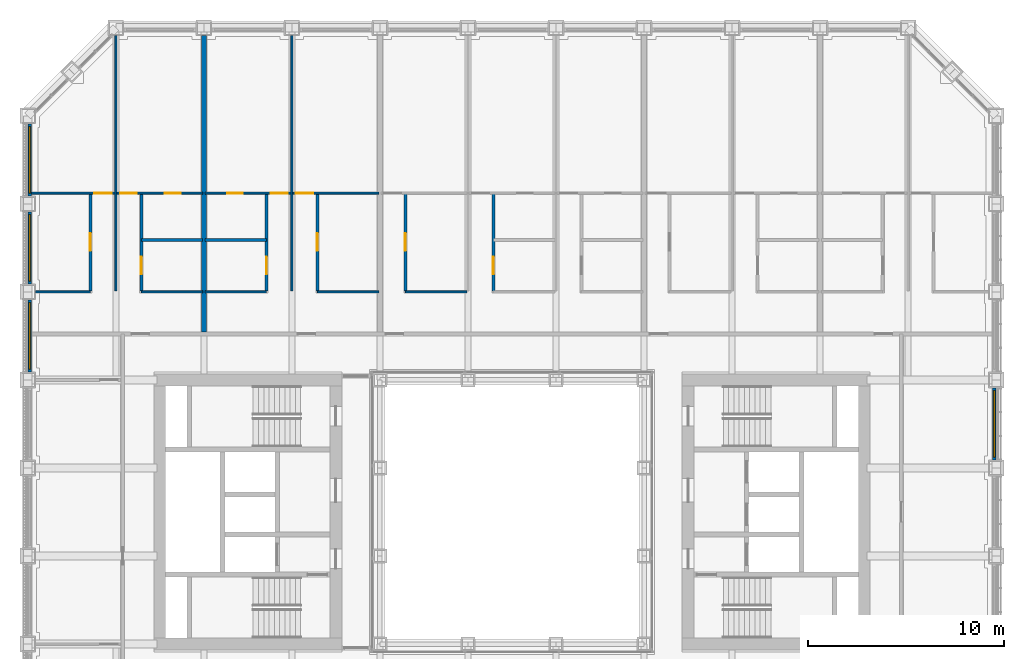
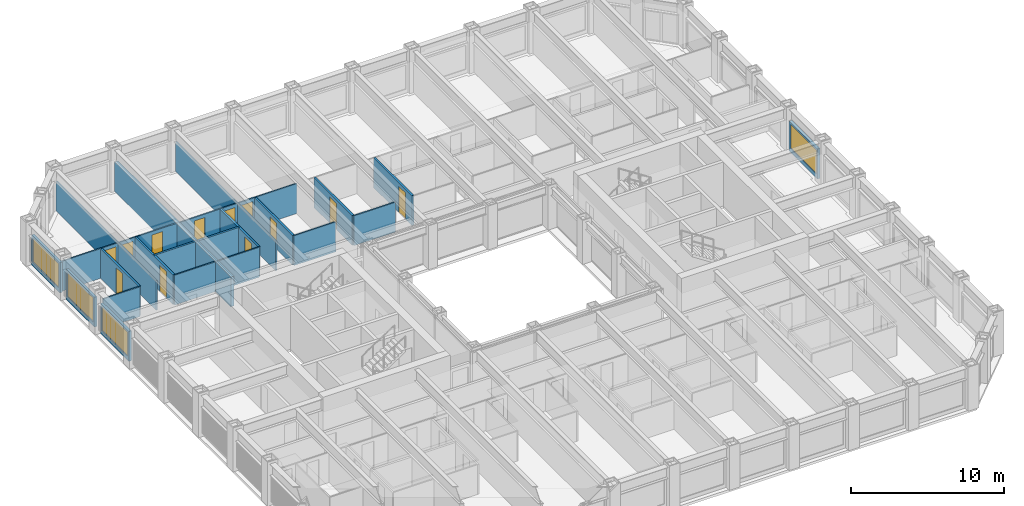
# One storey, part 13 of 21: 24 walls, 12 doors, 4 windows, 16 openings.
"""IFC4 building model written with IfcOpenShell, lengths in metres."""

from ifc_helpers import new_model, si_unit, direction, frame, frame_2d, origin, place, context, subcontext, project, spatial, rectangle, extrude, material, layer, layer_set, type_object, element, fill, save


model = new_model("IFC4")

# Units and contexts
model_context = context("Model", 3, precision=1e-05, world=origin(), true_north=direction((0.0, 1.0)))
body_context = subcontext(model_context, "Body", "Model", "MODEL_VIEW")
ifc_project = project(units=[si_unit("LENGTHUNIT", "METRE"), si_unit("AREAUNIT", "SQUARE_METRE"), si_unit("VOLUMEUNIT", "CUBIC_METRE"), si_unit("PLANEANGLEUNIT", "RADIAN"), si_unit("MASSUNIT", "GRAM", prefix="KILO")], contexts=[model_context])

# Site, building, storey
site_placement = place(None, origin())
site = spatial("IfcSite", under=ifc_project, at=site_placement, CompositionType="ELEMENT")
building_placement = place(site_placement, origin())
building = spatial("IfcBuilding", under=site, at=building_placement, Name="Msasa Ring Tower", CompositionType="ELEMENT")
storey_placement = place(building_placement, frame((0.0, 0.0, 47.5)))
storey = spatial("IfcBuildingStorey", under=building, at=storey_placement, Name="L11", CompositionType="ELEMENT", Elevation=47.5)

# Wall, opening, window
ifc_material_1 = material(Name="Terracotta rainscreen on blockwork", Category="masonry")
ifc_layer_1 = layer(ifc_material_1, 0.199951171875)
ifc_layer_set_1 = layer_set([ifc_layer_1], Name="FW1 TERRACOTTA-LINED INFILL BAY WALL 200")
wall_type_1 = type_object("IfcWallType", Name="FW1 TERRACOTTA-LINED INFILL BAY WALL 200", PredefinedType="SOLIDWALL", material=ifc_layer_set_1)
wall_1_placement = place(storey_placement, frame((24.64990234375, 2.655029296875, 0.0), z_axis=(0.0, 0.0, 1.0), x_axis=(0.0, 1.0, 0.0)))
wall_1 = element("IfcWall", 1, at=wall_1_placement, inside=storey, type_object=wall_type_1, Name="Infill bay wall E L11 16", PredefinedType="SOLIDWALL", context=body_context, shape_type="SweptSolid", body=[
    extrude(rectangle(XDim=3.68994140625, YDim=0.199951171875, at=frame_2d((1.844970703125, 0.0))), origin(), (0.0, 0.0, 1.0), 2.37890625),
])
opening_1_placement = place(wall_1_placement, frame((0.14501953125, 0.0, 0.300048828125)))
opening_1 = element("IfcOpeningElement", 2, at=opening_1_placement, cuts=wall_1, Name="Opening WN1", PredefinedType="OPENING", context=body_context, shape_type="SweptSolid", body=[
    extrude(rectangle(XDim=3.39990234375, YDim=1.928955078125, at=frame_2d((1.699951171875, 0.96435546875))), frame((0.0, 0.10986328125, 0.0), z_axis=(0.0, -1.0, 0.0), x_axis=(1.0, 0.0, 0.0)), (0.0, 0.0, 1.0), 0.219970703125),
])
ifc_material_2 = material(Name="Aluminium frame with clear glass", Category="aluminium")
window_type = type_object("IfcWindowType", Name="WN1 RESIDENCE WINDOW 3400x1929", PartitioningType="SINGLE_PANEL", PredefinedType="WINDOW", material=ifc_material_2)
window_1_placement = place(opening_1_placement, origin())
window_1 = element("IfcWindow", 3, at=window_1_placement, inside=storey, type_object=window_type, Name="Window E L11 16", OverallHeight=1.928955078125, OverallWidth=3.39990234375, PartitioningType="SINGLE_PANEL", PredefinedType="WINDOW", context=body_context, shape_type="SweptSolid", body=[
    extrude(rectangle(XDim=3.39990234375, YDim=1.928955078125, at=frame_2d((1.699951171875, 0.96435546875))), frame((0.0, 0.030029296875, 0.0), z_axis=(0.0, -1.0, 0.0), x_axis=(1.0, 0.0, 0.0)), (0.0, 0.0, 1.0), 0.06005859375),
])
fill(opening_1, window_1)

wall_2_placement = place(storey_placement, frame((-24.64990234375, 7.155029296875, 0.0), z_axis=(0.0, 0.0, 1.0), x_axis=(0.0, 1.0, 0.0)))
wall_2 = element("IfcWall", 4, at=wall_2_placement, inside=storey, type_object=wall_type_1, Name="Infill bay wall W L11 39", PredefinedType="SOLIDWALL", context=body_context, shape_type="SweptSolid", body=[
    extrude(rectangle(XDim=3.68994140625, YDim=0.199951171875, at=frame_2d((1.844970703125, 0.0))), origin(), (0.0, 0.0, 1.0), 2.37890625),
])
opening_2_placement = place(wall_2_placement, frame((0.14501953125, 0.0, 0.300048828125)))
opening_2 = element("IfcOpeningElement", 5, at=opening_2_placement, cuts=wall_2, Name="Opening WN1", PredefinedType="OPENING", context=body_context, shape_type="SweptSolid", body=[
    extrude(rectangle(XDim=3.39990234375, YDim=1.928955078125, at=frame_2d((1.699951171875, 0.96435546875))), frame((0.0, 0.10986328125, 0.0), z_axis=(0.0, -1.0, 0.0), x_axis=(1.0, 0.0, 0.0)), (0.0, 0.0, 1.0), 0.219970703125),
])
window_2_placement = place(opening_2_placement, origin())
window_2 = element("IfcWindow", 6, at=window_2_placement, inside=storey, type_object=window_type, Name="Window W L11 39", OverallHeight=1.928955078125, OverallWidth=3.39990234375, PartitioningType="SINGLE_PANEL", PredefinedType="WINDOW", context=body_context, shape_type="SweptSolid", body=[
    extrude(rectangle(XDim=3.39990234375, YDim=1.928955078125, at=frame_2d((1.699951171875, 0.96435546875))), frame((0.0, 0.030029296875, 0.0), z_axis=(0.0, -1.0, 0.0), x_axis=(1.0, 0.0, 0.0)), (0.0, 0.0, 1.0), 0.06005859375),
])
fill(opening_2, window_2)

wall_3_placement = place(storey_placement, frame((-24.64990234375, 11.655029296875, 0.0), z_axis=(0.0, 0.0, 1.0), x_axis=(0.0, 1.0, 0.0)))
wall_3 = element("IfcWall", 7, at=wall_3_placement, inside=storey, type_object=wall_type_1, Name="Infill bay wall W L11 40", PredefinedType="SOLIDWALL", context=body_context, shape_type="SweptSolid", body=[
    extrude(rectangle(XDim=3.68994140625, YDim=0.199951171875, at=frame_2d((1.844970703125, 0.0))), origin(), (0.0, 0.0, 1.0), 2.37890625),
])
opening_3_placement = place(wall_3_placement, frame((0.14501953125, 0.0, 0.300048828125)))
opening_3 = element("IfcOpeningElement", 8, at=opening_3_placement, cuts=wall_3, Name="Opening WN1", PredefinedType="OPENING", context=body_context, shape_type="SweptSolid", body=[
    extrude(rectangle(XDim=3.39990234375, YDim=1.928955078125, at=frame_2d((1.699951171875, 0.96435546875))), frame((0.0, 0.10986328125, 0.0), z_axis=(0.0, -1.0, 0.0), x_axis=(1.0, 0.0, 0.0)), (0.0, 0.0, 1.0), 0.219970703125),
])
window_3_placement = place(opening_3_placement, origin())
window_3 = element("IfcWindow", 9, at=window_3_placement, inside=storey, type_object=window_type, Name="Window W L11 40", OverallHeight=1.928955078125, OverallWidth=3.39990234375, PartitioningType="SINGLE_PANEL", PredefinedType="WINDOW", context=body_context, shape_type="SweptSolid", body=[
    extrude(rectangle(XDim=3.39990234375, YDim=1.928955078125, at=frame_2d((1.699951171875, 0.96435546875))), frame((0.0, 0.030029296875, 0.0), z_axis=(0.0, -1.0, 0.0), x_axis=(1.0, 0.0, 0.0)), (0.0, 0.0, 1.0), 0.06005859375),
])
fill(opening_3, window_3)

wall_4_placement = place(storey_placement, frame((-24.64990234375, 16.155029296875, 0.0), z_axis=(0.0, 0.0, 1.0), x_axis=(0.0, 1.0, 0.0)))
wall_4 = element("IfcWall", 10, at=wall_4_placement, inside=storey, type_object=wall_type_1, Name="Infill bay wall W L11 41", PredefinedType="SOLIDWALL", context=body_context, shape_type="SweptSolid", body=[
    extrude(rectangle(XDim=3.68994140625, YDim=0.199951171875, at=frame_2d((1.844970703125, 0.0))), origin(), (0.0, 0.0, 1.0), 2.37890625),
])
opening_4_placement = place(wall_4_placement, frame((0.14501953125, 0.0, 0.300048828125)))
opening_4 = element("IfcOpeningElement", 11, at=opening_4_placement, cuts=wall_4, Name="Opening WN1", PredefinedType="OPENING", context=body_context, shape_type="SweptSolid", body=[
    extrude(rectangle(XDim=3.39990234375, YDim=1.928955078125, at=frame_2d((1.699951171875, 0.96435546875))), frame((0.0, 0.10986328125, 0.0), z_axis=(0.0, -1.0, 0.0), x_axis=(1.0, 0.0, 0.0)), (0.0, 0.0, 1.0), 0.219970703125),
])
window_4_placement = place(opening_4_placement, origin())
window_4 = element("IfcWindow", 12, at=window_4_placement, inside=storey, type_object=window_type, Name="Window W L11 41", OverallHeight=1.928955078125, OverallWidth=3.39990234375, PartitioningType="SINGLE_PANEL", PredefinedType="WINDOW", context=body_context, shape_type="SweptSolid", body=[
    extrude(rectangle(XDim=3.39990234375, YDim=1.928955078125, at=frame_2d((1.699951171875, 0.96435546875))), frame((0.0, 0.030029296875, 0.0), z_axis=(0.0, -1.0, 0.0), x_axis=(1.0, 0.0, 0.0)), (0.0, 0.0, 1.0), 0.06005859375),
])
fill(opening_4, window_4)

# Wall
ifc_material_3 = material(Name="Gypsum board on steel studs", Category="steel")
ifc_layer_2 = layer(ifc_material_3, 0.10009765625)
ifc_layer_set_2 = layer_set([ifc_layer_2], Name="PT2 STUD PARTITION 100")
wall_type_2 = type_object("IfcWallType", Name="PT2 STUD PARTITION 100", PredefinedType="PARTITIONING", material=ifc_layer_set_2)
wall_5_placement = place(storey_placement, frame((-24.35009765625, 11.25, 0.0), z_axis=(0.0, 0.0, 1.0), x_axis=(1.0, 0.0, 0.0)))
element("IfcWall", 13, at=wall_5_placement, inside=storey, type_object=wall_type_2, Name="Partition L11-UN00HY0", PredefinedType="PARTITIONING", context=body_context, shape_type="SweptSolid", body=[
    extrude(rectangle(XDim=2.800048828125, YDim=0.10009765625, at=frame_2d((1.39990234375, 0.0))), origin(), (0.0, 0.0, 1.0), 2.373291015625),
])

# Wall, opening, door
wall_6_placement = place(storey_placement, frame((-24.550048828125, 16.300048828125, 0.0), z_axis=(0.0, 0.0, 1.0), x_axis=(1.0, 0.0, 0.0)))
wall_6 = element("IfcWall", 14, at=wall_6_placement, inside=storey, type_object=wall_type_2, Name="Partition L11-UN00SY0", PredefinedType="PARTITIONING", context=body_context, shape_type="SweptSolid", body=[
    extrude(rectangle(XDim=4.25, YDim=0.10009765625, at=frame_2d((2.125, 0.0))), origin(), (0.0, 0.0, 1.0), 2.373291015625),
])
opening_5_placement = place(wall_6_placement, frame((3.199951171875, 0.0, 0.0)))
opening_5 = element("IfcOpeningElement", 15, at=opening_5_placement, cuts=wall_6, Name="Opening RC-001", PredefinedType="OPENING", context=body_context, shape_type="SweptSolid", body=[
    extrude(rectangle(XDim=0.89990234375, YDim=2.10009765625, at=frame_2d((0.449951171875, 1.050048828125))), frame((0.0, 0.06005859375, 0.0), z_axis=(0.0, -1.0, 0.0), x_axis=(1.0, 0.0, 0.0)), (0.0, 0.0, 1.0), 0.1201171875),
])
ifc_material_4 = material(Name="Timber door leaf in a steel frame", Category="steel")
door_type_1 = type_object("IfcDoorType", Name="D22 INTERNAL HALL DOOR 900x2100", OperationType="SINGLE_SWING_LEFT", PredefinedType="DOOR", material=ifc_material_4)
door_1_placement = place(opening_5_placement, origin())
door_1 = element("IfcDoor", 16, at=door_1_placement, inside=storey, type_object=door_type_1, Name="Door L11-UN00L", OperationType="SINGLE_SWING_RIGHT", OverallHeight=2.10009765625, OverallWidth=0.89990234375, PredefinedType="DOOR", context=body_context, shape_type="SweptSolid", body=[
    extrude(rectangle(XDim=0.89990234375, YDim=2.10009765625, at=frame_2d((0.449951171875, 1.050048828125))), frame((0.0, 0.02490234375, 0.0), z_axis=(0.0, -1.0, 0.0), x_axis=(1.0, 0.0, 0.0)), (0.0, 0.0, 1.0), 0.050048828125),
])
fill(opening_5, door_1)

# Walls
wall_7_placement = place(storey_placement, frame((-20.25, 11.300048828125, 0.0), z_axis=(0.0, 0.0, 1.0), x_axis=(0.0, 1.0, 0.0)))
element("IfcWall", 17, at=wall_7_placement, inside=storey, type_object=wall_type_2, Name="Partition L11-UN00P1", PredefinedType="PARTITIONING", context=body_context, shape_type="SweptSolid", body=[
    extrude(rectangle(XDim=13.050048828125, YDim=0.10009765625, at=frame_2d((6.52490234375, 0.0))), origin(), (0.0, 0.0, 1.0), 2.373291015625),
])
wall_8_placement = place(storey_placement, frame((-18.949951171875, 11.25, 0.0), z_axis=(0.0, 0.0, 1.0), x_axis=(1.0, 0.0, 0.0)))
element("IfcWall", 18, at=wall_8_placement, inside=storey, type_object=wall_type_2, Name="Partition L11-UN00HY1", PredefinedType="PARTITIONING", context=body_context, shape_type="SweptSolid", body=[
    extrude(rectangle(XDim=3.139892578125, YDim=0.10009765625, at=frame_2d((1.56982421875, 0.0))), origin(), (0.0, 0.0, 1.0), 2.373291015625),
])

# Wall, openings, doors
wall_9_placement = place(storey_placement, frame((-20.199951171875, 16.300048828125, 0.0), z_axis=(0.0, 0.0, 1.0), x_axis=(1.0, 0.0, 0.0)))
wall_9 = element("IfcWall", 19, at=wall_9_placement, inside=storey, type_object=wall_type_2, Name="Partition L11-UN00SY1", PredefinedType="PARTITIONING", context=body_context, shape_type="SweptSolid", body=[
    extrude(rectangle(XDim=4.389892578125, YDim=0.10009765625, at=frame_2d((2.19482421875, 0.0))), origin(), (0.0, 0.0, 1.0), 2.373291015625),
])
opening_6_placement = place(wall_9_placement, frame((0.175048828125, 0.0, 0.0)))
opening_6 = element("IfcOpeningElement", 20, at=opening_6_placement, cuts=wall_9, Name="Opening RC-002", PredefinedType="OPENING", context=body_context, shape_type="SweptSolid", body=[
    extrude(rectangle(XDim=0.85009765625, YDim=2.10009765625, at=frame_2d((0.425048828125, 1.050048828125))), frame((0.0, 0.06005859375, 0.0), z_axis=(0.0, -1.0, 0.0), x_axis=(1.0, 0.0, 0.0)), (0.0, 0.0, 1.0), 0.1201171875),
])
opening_7_placement = place(wall_9_placement, frame((2.4599609375, 0.0, 0.0)))
opening_7 = element("IfcOpeningElement", 21, at=opening_7_placement, cuts=wall_9, Name="Opening RC-003", PredefinedType="OPENING", context=body_context, shape_type="SweptSolid", body=[
    extrude(rectangle(XDim=0.800048828125, YDim=2.10009765625, at=frame_2d((0.39990234375, 1.050048828125))), frame((0.0, 0.06005859375, 0.0), z_axis=(0.0, -1.0, 0.0), x_axis=(1.0, 0.0, 0.0)), (0.0, 0.0, 1.0), 0.1201171875),
])
ifc_material_5 = material(Name="Timber door leaf in a steel frame", Category="steel")
door_type_2 = type_object("IfcDoorType", Name="D14 BEDROOM DOOR 850x2100", OperationType="SINGLE_SWING_LEFT", PredefinedType="DOOR", material=ifc_material_5)
door_2_placement = place(opening_6_placement, origin())
door_2 = element("IfcDoor", 22, at=door_2_placement, inside=storey, type_object=door_type_2, Name="Door L11-UN00R1", OperationType="SINGLE_SWING_LEFT", OverallHeight=2.10009765625, OverallWidth=0.85009765625, PredefinedType="DOOR", context=body_context, shape_type="SweptSolid", body=[
    extrude(rectangle(XDim=0.85009765625, YDim=2.10009765625, at=frame_2d((0.425048828125, 1.050048828125))), frame((0.0, 0.02490234375, 0.0), z_axis=(0.0, -1.0, 0.0), x_axis=(1.0, 0.0, 0.0)), (0.0, 0.0, 1.0), 0.050048828125),
])
fill(opening_6, door_2)
ifc_material_6 = material(Name="Timber door leaf in a steel frame", Category="steel")
door_type_3 = type_object("IfcDoorType", Name="D60 DRESSING ROOM DOOR 800x2100", OperationType="SINGLE_SWING_LEFT", PredefinedType="DOOR", material=ifc_material_6)
door_3_placement = place(opening_7_placement, origin())
door_3 = element("IfcDoor", 23, at=door_3_placement, inside=storey, type_object=door_type_3, Name="Door L11-UN00W1", OperationType="SINGLE_SWING_RIGHT", OverallHeight=2.10009765625, OverallWidth=0.800048828125, PredefinedType="DOOR", context=body_context, shape_type="SweptSolid", body=[
    extrude(rectangle(XDim=0.800048828125, YDim=2.10009765625, at=frame_2d((0.39990234375, 1.050048828125))), frame((0.0, 0.02490234375, 0.0), z_axis=(0.0, -1.0, 0.0), x_axis=(1.0, 0.0, 0.0)), (0.0, 0.0, 1.0), 0.050048828125),
])
fill(opening_7, door_3)

# Wall
wall_10_placement = place(storey_placement, frame((-9.949951171875, 11.25, 0.0), z_axis=(0.0, 0.0, 1.0), x_axis=(1.0, 0.0, 0.0)))
element("IfcWall", 24, at=wall_10_placement, inside=storey, type_object=wall_type_2, Name="Partition L11-UN01HY0", PredefinedType="PARTITIONING", context=body_context, shape_type="SweptSolid", body=[
    extrude(rectangle(XDim=3.139892578125, YDim=0.10009765625, at=frame_2d((1.56982421875, 0.0))), origin(), (0.0, 0.0, 1.0), 2.373291015625),
])

# Wall, opening, door
wall_11_placement = place(storey_placement, frame((-11.199951171875, 16.300048828125, 0.0), z_axis=(0.0, 0.0, 1.0), x_axis=(1.0, 0.0, 0.0)))
wall_11 = element("IfcWall", 25, at=wall_11_placement, inside=storey, type_object=wall_type_2, Name="Partition L11-UN01SY0", PredefinedType="PARTITIONING", context=body_context, shape_type="SweptSolid", body=[
    extrude(rectangle(XDim=4.389892578125, YDim=0.10009765625, at=frame_2d((2.19482421875, 0.0))), origin(), (0.0, 0.0, 1.0), 2.373291015625),
])
opening_8_placement = place(wall_11_placement, frame((0.14990234375, 0.0, 0.0)))
opening_8 = element("IfcOpeningElement", 26, at=opening_8_placement, cuts=wall_11, Name="Opening RC-006", PredefinedType="OPENING", context=body_context, shape_type="SweptSolid", body=[
    extrude(rectangle(XDim=0.89990234375, YDim=2.10009765625, at=frame_2d((0.449951171875, 1.050048828125))), frame((0.0, 0.06005859375, 0.0), z_axis=(0.0, -1.0, 0.0), x_axis=(1.0, 0.0, 0.0)), (0.0, 0.0, 1.0), 0.1201171875),
])
door_4_placement = place(opening_8_placement, origin())
door_4 = element("IfcDoor", 27, at=door_4_placement, inside=storey, type_object=door_type_1, Name="Door L11-UN01L", OperationType="SINGLE_SWING_LEFT", OverallHeight=2.10009765625, OverallWidth=0.89990234375, PredefinedType="DOOR", context=body_context, shape_type="SweptSolid", body=[
    extrude(rectangle(XDim=0.89990234375, YDim=2.10009765625, at=frame_2d((0.449951171875, 1.050048828125))), frame((0.0, 0.02490234375, 0.0), z_axis=(0.0, -1.0, 0.0), x_axis=(1.0, 0.0, 0.0)), (0.0, 0.0, 1.0), 0.050048828125),
])
fill(opening_8, door_4)

# Walls
wall_12_placement = place(storey_placement, frame((-11.25, 11.300048828125, 0.0), z_axis=(0.0, 0.0, 1.0), x_axis=(0.0, 1.0, 0.0)))
element("IfcWall", 28, at=wall_12_placement, inside=storey, type_object=wall_type_2, Name="Partition L11-UN01P1", PredefinedType="PARTITIONING", context=body_context, shape_type="SweptSolid", body=[
    extrude(rectangle(XDim=13.050048828125, YDim=0.10009765625, at=frame_2d((6.52490234375, 0.0))), origin(), (0.0, 0.0, 1.0), 2.373291015625),
])
wall_13_placement = place(storey_placement, frame((-15.68994140625, 11.25, 0.0), z_axis=(0.0, 0.0, 1.0), x_axis=(1.0, 0.0, 0.0)))
element("IfcWall", 29, at=wall_13_placement, inside=storey, type_object=wall_type_2, Name="Partition L11-UN01HY1", PredefinedType="PARTITIONING", context=body_context, shape_type="SweptSolid", body=[
    extrude(rectangle(XDim=3.139892578125, YDim=0.10009765625, at=frame_2d((1.56982421875, 0.0))), origin(), (0.0, 0.0, 1.0), 2.373291015625),
])

# Wall, openings, doors
wall_14_placement = place(storey_placement, frame((-15.68994140625, 16.300048828125, 0.0), z_axis=(0.0, 0.0, 1.0), x_axis=(1.0, 0.0, 0.0)))
wall_14 = element("IfcWall", 30, at=wall_14_placement, inside=storey, type_object=wall_type_2, Name="Partition L11-UN01SY1", PredefinedType="PARTITIONING", context=body_context, shape_type="SweptSolid", body=[
    extrude(rectangle(XDim=4.389892578125, YDim=0.10009765625, at=frame_2d((2.19482421875, 0.0))), origin(), (0.0, 0.0, 1.0), 2.373291015625),
])
opening_9_placement = place(wall_14_placement, frame((3.364990234375, 0.0, 0.0)))
opening_9 = element("IfcOpeningElement", 31, at=opening_9_placement, cuts=wall_14, Name="Opening RC-005", PredefinedType="OPENING", context=body_context, shape_type="SweptSolid", body=[
    extrude(rectangle(XDim=0.85009765625, YDim=2.10009765625, at=frame_2d((0.425048828125, 1.050048828125))), frame((0.0, 0.06005859375, 0.0), z_axis=(0.0, -1.0, 0.0), x_axis=(1.0, 0.0, 0.0)), (0.0, 0.0, 1.0), 0.1201171875),
])
opening_10_placement = place(wall_14_placement, frame((1.1298828125, 0.0, 0.0)))
opening_10 = element("IfcOpeningElement", 32, at=opening_10_placement, cuts=wall_14, Name="Opening RC-004", PredefinedType="OPENING", context=body_context, shape_type="SweptSolid", body=[
    extrude(rectangle(XDim=0.800048828125, YDim=2.10009765625, at=frame_2d((0.39990234375, 1.050048828125))), frame((0.0, 0.06005859375, 0.0), z_axis=(0.0, -1.0, 0.0), x_axis=(1.0, 0.0, 0.0)), (0.0, 0.0, 1.0), 0.1201171875),
])
door_5_placement = place(opening_9_placement, origin())
door_5 = element("IfcDoor", 33, at=door_5_placement, inside=storey, type_object=door_type_2, Name="Door L11-UN01R1", OperationType="SINGLE_SWING_RIGHT", OverallHeight=2.10009765625, OverallWidth=0.85009765625, PredefinedType="DOOR", context=body_context, shape_type="SweptSolid", body=[
    extrude(rectangle(XDim=0.85009765625, YDim=2.10009765625, at=frame_2d((0.425048828125, 1.050048828125))), frame((0.0, 0.02490234375, 0.0), z_axis=(0.0, -1.0, 0.0), x_axis=(1.0, 0.0, 0.0)), (0.0, 0.0, 1.0), 0.050048828125),
])
fill(opening_9, door_5)
door_6_placement = place(opening_10_placement, origin())
door_6 = element("IfcDoor", 34, at=door_6_placement, inside=storey, type_object=door_type_3, Name="Door L11-UN01W1", OperationType="SINGLE_SWING_LEFT", OverallHeight=2.10009765625, OverallWidth=0.800048828125, PredefinedType="DOOR", context=body_context, shape_type="SweptSolid", body=[
    extrude(rectangle(XDim=0.800048828125, YDim=2.10009765625, at=frame_2d((0.39990234375, 1.050048828125))), frame((0.0, 0.02490234375, 0.0), z_axis=(0.0, -1.0, 0.0), x_axis=(1.0, 0.0, 0.0)), (0.0, 0.0, 1.0), 0.050048828125),
])
fill(opening_10, door_6)

# Walls
wall_15_placement = place(storey_placement, frame((-5.449951171875, 11.25, 0.0), z_axis=(0.0, 0.0, 1.0), x_axis=(1.0, 0.0, 0.0)))
element("IfcWall", 35, at=wall_15_placement, inside=storey, type_object=wall_type_2, Name="Partition L11-UN02HY0", PredefinedType="PARTITIONING", context=body_context, shape_type="SweptSolid", body=[
    extrude(rectangle(XDim=3.139892578125, YDim=0.10009765625, at=frame_2d((1.56982421875, 0.0))), origin(), (0.0, 0.0, 1.0), 2.373291015625),
])
ifc_material_7 = material(Name="Dense concrete blockwork, plastered both faces", Category="masonry")
ifc_layer_3 = layer(ifc_material_7, 0.25)
ifc_layer_set_3 = layer_set([ifc_layer_3], Name="PT3 APARTMENT SEPARATING WALL 250")
wall_type_3 = type_object("IfcWallType", Name="PT3 APARTMENT SEPARATING WALL 250", PredefinedType="PARTITIONING", material=ifc_layer_set_3)
wall_16_placement = place(storey_placement, frame((-15.75, 9.199951171875, 0.0), z_axis=(0.0, 0.0, 1.0), x_axis=(0.0, 1.0, 0.0)))
element("IfcWall", 36, at=wall_16_placement, inside=storey, type_object=wall_type_3, Name="Party wall L11-PWN-15.75", PredefinedType="PARTITIONING", context=body_context, shape_type="SweptSolid", body=[
    extrude(rectangle(XDim=15.150146484375, YDim=0.25, at=frame_2d((7.5751953125, 0.0))), origin(), (0.0, 0.0, 1.0), 2.373291015625),
])

# Wall, opening, door
ifc_material_8 = material(Name="Moisture-resistant board on steel studs with a concealed cistern and pipe void, tiled", Category="steel")
ifc_layer_4 = layer(ifc_material_8, 0.14990234375)
ifc_layer_set_4 = layer_set([ifc_layer_4], Name="PT4 BATHROOM WET WALL 150")
wall_type_4 = type_object("IfcWallType", Name="PT4 BATHROOM WET WALL 150", PredefinedType="PARTITIONING", material=ifc_layer_set_4)
wall_17_placement = place(storey_placement, frame((-21.550048828125, 11.300048828125, 0.0), z_axis=(0.0, 0.0, 1.0), x_axis=(0.0, 1.0, 0.0)))
wall_17 = element("IfcWall", 37, at=wall_17_placement, inside=storey, type_object=wall_type_4, Name="Partition L11-UN00SX0", PredefinedType="PARTITIONING", context=body_context, shape_type="SweptSolid", body=[
    extrude(rectangle(XDim=5.0, YDim=0.14990234375, at=frame_2d((2.5, 0.0))), origin(), (0.0, 0.0, 1.0), 2.373291015625),
])
opening_11_placement = place(wall_17_placement, frame((2.050048828125, 0.0, 0.0)))
opening_11 = element("IfcOpeningElement", 38, at=opening_11_placement, cuts=wall_17, Name="Opening RC-018", PredefinedType="OPENING", context=body_context, shape_type="SweptSolid", body=[
    extrude(rectangle(XDim=0.89990234375, YDim=2.10009765625, at=frame_2d((0.449951171875, 1.050048828125))), frame((0.0, 0.0849609375, 0.0), z_axis=(0.0, -1.0, 0.0), x_axis=(1.0, 0.0, 0.0)), (0.0, 0.0, 1.0), 0.169921875),
])
door_7_placement = place(opening_11_placement, origin())
door_7 = element("IfcDoor", 39, at=door_7_placement, inside=storey, type_object=door_type_1, Name="Door L11-UN00K", OperationType="SINGLE_SWING_LEFT", OverallHeight=2.10009765625, OverallWidth=0.89990234375, PredefinedType="DOOR", context=body_context, shape_type="SweptSolid", body=[
    extrude(rectangle(XDim=0.89990234375, YDim=2.10009765625, at=frame_2d((0.449951171875, 1.050048828125))), frame((0.0, 0.02490234375, 0.0), z_axis=(0.0, -1.0, 0.0), x_axis=(1.0, 0.0, 0.0)), (0.0, 0.0, 1.0), 0.050048828125),
])
fill(opening_11, door_7)

wall_18_placement = place(storey_placement, frame((-18.949951171875, 11.300048828125, 0.0), z_axis=(0.0, 0.0, 1.0), x_axis=(0.0, 1.0, 0.0)))
wall_18 = element("IfcWall", 40, at=wall_18_placement, inside=storey, type_object=wall_type_4, Name="Partition L11-UN00SX1", PredefinedType="PARTITIONING", context=body_context, shape_type="SweptSolid", body=[
    extrude(rectangle(XDim=5.0, YDim=0.14990234375, at=frame_2d((2.5, 0.0))), origin(), (0.0, 0.0, 1.0), 2.373291015625),
])
opening_12_placement = place(wall_18_placement, frame((0.85009765625, 0.0, 0.0)))
opening_12 = element("IfcOpeningElement", 41, at=opening_12_placement, cuts=wall_18, Name="Opening RC-023", PredefinedType="OPENING", context=body_context, shape_type="SweptSolid", body=[
    extrude(rectangle(XDim=0.89990234375, YDim=2.10009765625, at=frame_2d((0.449951171875, 1.050048828125))), frame((0.0, 0.0849609375, 0.0), z_axis=(0.0, -1.0, 0.0), x_axis=(1.0, 0.0, 0.0)), (0.0, 0.0, 1.0), 0.169921875),
])
ifc_material_9 = material(Name="Timber door leaf in a steel frame", Category="steel")
door_type_4 = type_object("IfcDoorType", Name="D3 BATHROOM DOOR 900x2100", OperationType="SINGLE_SWING_LEFT", PredefinedType="DOOR", material=ifc_material_9)
door_8_placement = place(opening_12_placement, origin())
door_8 = element("IfcDoor", 42, at=door_8_placement, inside=storey, type_object=door_type_4, Name="Door L11-UN00B1", OperationType="SINGLE_SWING_LEFT", OverallHeight=2.10009765625, OverallWidth=0.89990234375, PredefinedType="DOOR", context=body_context, shape_type="SweptSolid", body=[
    extrude(rectangle(XDim=0.89990234375, YDim=2.10009765625, at=frame_2d((0.449951171875, 1.050048828125))), frame((0.0, 0.02490234375, 0.0), z_axis=(0.0, -1.0, 0.0), x_axis=(1.0, 0.0, 0.0)), (0.0, 0.0, 1.0), 0.050048828125),
])
fill(opening_12, door_8)

# Wall
wall_19_placement = place(storey_placement, frame((-18.949951171875, 13.89990234375, 0.0), z_axis=(0.0, 0.0, 1.0), x_axis=(1.0, 0.0, 0.0)))
element("IfcWall", 43, at=wall_19_placement, inside=storey, type_object=wall_type_4, Name="Partition L11-UN00SB1", PredefinedType="PARTITIONING", context=body_context, shape_type="SweptSolid", body=[
    extrude(rectangle(XDim=3.139892578125, YDim=0.14990234375, at=frame_2d((1.56982421875, 0.0))), origin(), (0.0, 0.0, 1.0), 2.373291015625),
])

# Wall, opening, door
wall_20_placement = place(storey_placement, frame((-9.949951171875, 11.300048828125, 0.0), z_axis=(0.0, 0.0, 1.0), x_axis=(0.0, 1.0, 0.0)))
wall_20 = element("IfcWall", 44, at=wall_20_placement, inside=storey, type_object=wall_type_4, Name="Partition L11-UN01SX0", PredefinedType="PARTITIONING", context=body_context, shape_type="SweptSolid", body=[
    extrude(rectangle(XDim=5.0, YDim=0.14990234375, at=frame_2d((2.5, 0.0))), origin(), (0.0, 0.0, 1.0), 2.373291015625),
])
opening_13_placement = place(wall_20_placement, frame((2.050048828125, 0.0, 0.0)))
opening_13 = element("IfcOpeningElement", 45, at=opening_13_placement, cuts=wall_20, Name="Opening RC-019", PredefinedType="OPENING", context=body_context, shape_type="SweptSolid", body=[
    extrude(rectangle(XDim=0.89990234375, YDim=2.10009765625, at=frame_2d((0.449951171875, 1.050048828125))), frame((0.0, 0.0849609375, 0.0), z_axis=(0.0, -1.0, 0.0), x_axis=(1.0, 0.0, 0.0)), (0.0, 0.0, 1.0), 0.169921875),
])
door_9_placement = place(opening_13_placement, origin())
door_9 = element("IfcDoor", 46, at=door_9_placement, inside=storey, type_object=door_type_1, Name="Door L11-UN01K", OperationType="SINGLE_SWING_LEFT", OverallHeight=2.10009765625, OverallWidth=0.89990234375, PredefinedType="DOOR", context=body_context, shape_type="SweptSolid", body=[
    extrude(rectangle(XDim=0.89990234375, YDim=2.10009765625, at=frame_2d((0.449951171875, 1.050048828125))), frame((0.0, 0.02490234375, 0.0), z_axis=(0.0, -1.0, 0.0), x_axis=(1.0, 0.0, 0.0)), (0.0, 0.0, 1.0), 0.050048828125),
])
fill(opening_13, door_9)

wall_21_placement = place(storey_placement, frame((-12.550048828125, 11.300048828125, 0.0), z_axis=(0.0, 0.0, 1.0), x_axis=(0.0, 1.0, 0.0)))
wall_21 = element("IfcWall", 47, at=wall_21_placement, inside=storey, type_object=wall_type_4, Name="Partition L11-UN01SX1", PredefinedType="PARTITIONING", context=body_context, shape_type="SweptSolid", body=[
    extrude(rectangle(XDim=5.0, YDim=0.14990234375, at=frame_2d((2.5, 0.0))), origin(), (0.0, 0.0, 1.0), 2.373291015625),
])
opening_14_placement = place(wall_21_placement, frame((0.85009765625, 0.0, 0.0)))
opening_14 = element("IfcOpeningElement", 48, at=opening_14_placement, cuts=wall_21, Name="Opening RC-024", PredefinedType="OPENING", context=body_context, shape_type="SweptSolid", body=[
    extrude(rectangle(XDim=0.89990234375, YDim=2.10009765625, at=frame_2d((0.449951171875, 1.050048828125))), frame((0.0, 0.0849609375, 0.0), z_axis=(0.0, -1.0, 0.0), x_axis=(1.0, 0.0, 0.0)), (0.0, 0.0, 1.0), 0.169921875),
])
door_10_placement = place(opening_14_placement, origin())
door_10 = element("IfcDoor", 49, at=door_10_placement, inside=storey, type_object=door_type_4, Name="Door L11-UN01B1", OperationType="SINGLE_SWING_LEFT", OverallHeight=2.10009765625, OverallWidth=0.89990234375, PredefinedType="DOOR", context=body_context, shape_type="SweptSolid", body=[
    extrude(rectangle(XDim=0.89990234375, YDim=2.10009765625, at=frame_2d((0.449951171875, 1.050048828125))), frame((0.0, 0.02490234375, 0.0), z_axis=(0.0, -1.0, 0.0), x_axis=(1.0, 0.0, 0.0)), (0.0, 0.0, 1.0), 0.050048828125),
])
fill(opening_14, door_10)

# Wall
wall_22_placement = place(storey_placement, frame((-15.68994140625, 13.89990234375, 0.0), z_axis=(0.0, 0.0, 1.0), x_axis=(1.0, 0.0, 0.0)))
element("IfcWall", 50, at=wall_22_placement, inside=storey, type_object=wall_type_4, Name="Partition L11-UN01SB1", PredefinedType="PARTITIONING", context=body_context, shape_type="SweptSolid", body=[
    extrude(rectangle(XDim=3.139892578125, YDim=0.14990234375, at=frame_2d((1.56982421875, 0.0))), origin(), (0.0, 0.0, 1.0), 2.373291015625),
])

# Wall, opening, door
wall_23_placement = place(storey_placement, frame((-5.449951171875, 11.300048828125, 0.0), z_axis=(0.0, 0.0, 1.0), x_axis=(0.0, 1.0, 0.0)))
wall_23 = element("IfcWall", 51, at=wall_23_placement, inside=storey, type_object=wall_type_4, Name="Partition L11-UN02SX0", PredefinedType="PARTITIONING", context=body_context, shape_type="SweptSolid", body=[
    extrude(rectangle(XDim=5.0, YDim=0.14990234375, at=frame_2d((2.5, 0.0))), origin(), (0.0, 0.0, 1.0), 2.373291015625),
])
opening_15_placement = place(wall_23_placement, frame((2.050048828125, 0.0, 0.0)))
opening_15 = element("IfcOpeningElement", 52, at=opening_15_placement, cuts=wall_23, Name="Opening RC-020", PredefinedType="OPENING", context=body_context, shape_type="SweptSolid", body=[
    extrude(rectangle(XDim=0.89990234375, YDim=2.10009765625, at=frame_2d((0.449951171875, 1.050048828125))), frame((0.0, 0.0849609375, 0.0), z_axis=(0.0, -1.0, 0.0), x_axis=(1.0, 0.0, 0.0)), (0.0, 0.0, 1.0), 0.169921875),
])
door_11_placement = place(opening_15_placement, origin())
door_11 = element("IfcDoor", 53, at=door_11_placement, inside=storey, type_object=door_type_1, Name="Door L11-UN02K", OperationType="SINGLE_SWING_LEFT", OverallHeight=2.10009765625, OverallWidth=0.89990234375, PredefinedType="DOOR", context=body_context, shape_type="SweptSolid", body=[
    extrude(rectangle(XDim=0.89990234375, YDim=2.10009765625, at=frame_2d((0.449951171875, 1.050048828125))), frame((0.0, 0.02490234375, 0.0), z_axis=(0.0, -1.0, 0.0), x_axis=(1.0, 0.0, 0.0)), (0.0, 0.0, 1.0), 0.050048828125),
])
fill(opening_15, door_11)

wall_24_placement = place(storey_placement, frame((-0.949951171875, 11.300048828125, 0.0), z_axis=(0.0, 0.0, 1.0), x_axis=(0.0, 1.0, 0.0)))
wall_24 = element("IfcWall", 54, at=wall_24_placement, inside=storey, type_object=wall_type_4, Name="Partition L11-UN02SX1", PredefinedType="PARTITIONING", context=body_context, shape_type="SweptSolid", body=[
    extrude(rectangle(XDim=5.0, YDim=0.14990234375, at=frame_2d((2.5, 0.0))), origin(), (0.0, 0.0, 1.0), 2.373291015625),
])
opening_16_placement = place(wall_24_placement, frame((0.85009765625, 0.0, 0.0)))
opening_16 = element("IfcOpeningElement", 55, at=opening_16_placement, cuts=wall_24, Name="Opening RC-025", PredefinedType="OPENING", context=body_context, shape_type="SweptSolid", body=[
    extrude(rectangle(XDim=0.89990234375, YDim=2.10009765625, at=frame_2d((0.449951171875, 1.050048828125))), frame((0.0, 0.0849609375, 0.0), z_axis=(0.0, -1.0, 0.0), x_axis=(1.0, 0.0, 0.0)), (0.0, 0.0, 1.0), 0.169921875),
])
door_12_placement = place(opening_16_placement, origin())
door_12 = element("IfcDoor", 56, at=door_12_placement, inside=storey, type_object=door_type_4, Name="Door L11-UN02B1", OperationType="SINGLE_SWING_LEFT", OverallHeight=2.10009765625, OverallWidth=0.89990234375, PredefinedType="DOOR", context=body_context, shape_type="SweptSolid", body=[
    extrude(rectangle(XDim=0.89990234375, YDim=2.10009765625, at=frame_2d((0.449951171875, 1.050048828125))), frame((0.0, 0.02490234375, 0.0), z_axis=(0.0, -1.0, 0.0), x_axis=(1.0, 0.0, 0.0)), (0.0, 0.0, 1.0), 0.050048828125),
])
fill(opening_16, door_12)

save(model, "model.ifc")
